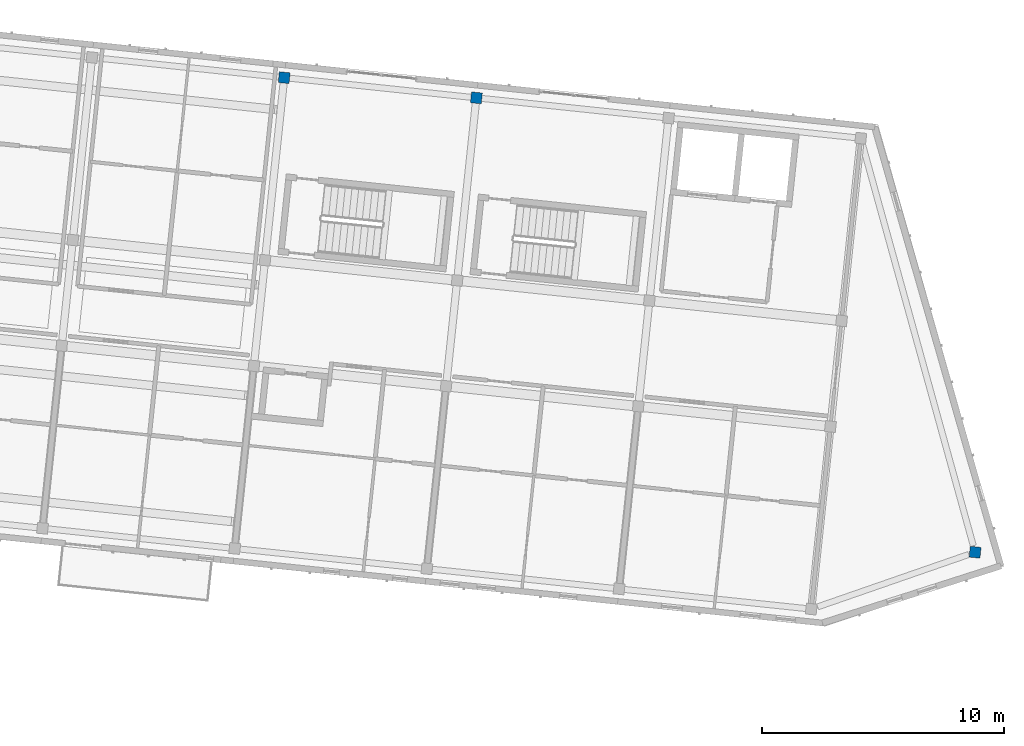
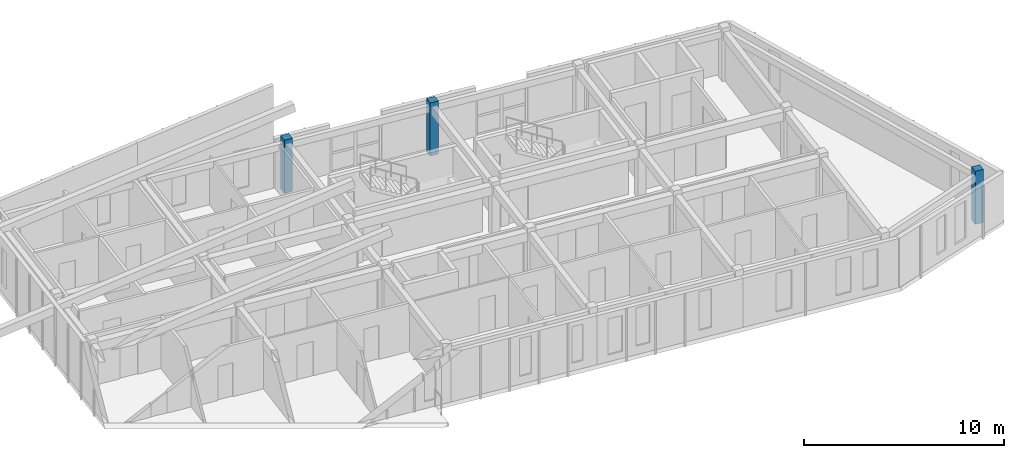
# One storey, part 2 of 34: 3 columns.
"""IFC4 building model written with IfcOpenShell, lengths in metres."""

from ifc_helpers import new_model, si_unit, direction, frame, origin, origin_2d, place, context, subcontext, project, spatial, rectangle, extrude, material, material_profile, profile_set, type_object, element, save


model = new_model("IFC4")

# Units and contexts
model_context = context("Model", 3, precision=1e-05, world=origin(), true_north=direction((0.0, 1.0)))
body_context = subcontext(model_context, "Body", "Model", "MODEL_VIEW")
ifc_project = project(units=[si_unit("LENGTHUNIT", "METRE"), si_unit("AREAUNIT", "SQUARE_METRE"), si_unit("VOLUMEUNIT", "CUBIC_METRE"), si_unit("PLANEANGLEUNIT", "RADIAN"), si_unit("MASSUNIT", "GRAM", prefix="KILO")], contexts=[model_context])

# Site, building, storey
site_placement = place(None, origin())
site = spatial("IfcSite", under=ifc_project, at=site_placement, CompositionType="ELEMENT")
building_placement = place(site_placement, origin())
building = spatial("IfcBuilding", under=site, at=building_placement, Name="Kestramere Prow Commons", CompositionType="ELEMENT")
storey_placement = place(building_placement, frame((0.0, 0.0, 34.39990234375)))
storey = spatial("IfcBuildingStorey", under=building, at=storey_placement, Name="L10", CompositionType="ELEMENT", Elevation=34.39990234375)

# Columns
ifc_material = material(Name="Precast concrete C40/50", Category="concrete")
ifc_material_profile = material_profile(ifc_material, rectangle(XDim=0.449951171875, YDim=0.449951171875, at=origin_2d()), Name="PC-COL 450x450")
ifc_profile_set = profile_set([ifc_material_profile], Name="Precast concrete C40/50")
column_type = type_object("IfcColumnType", Name="C-B3 PC-COL 450x450", PredefinedType="COLUMN", material=ifc_profile_set)
for number, where, z_axis, x_axis, name in (
    (1, (135.917236328125, 111.783935546875, 0.0), (0.0, 0.0, 1.0), (0.994521895368, -0.104528463268, 0.0), "Block B L10 Column 4-4"),
    (2, (143.87353515625, 110.94775390625, 0.0), (0.0, 0.0, 1.0), (0.994521895368, -0.104528463268, 0.0), "Block B L10 Column 5-4"),
    (3, (164.520263671875, 92.136474609375, 0.0), (0.0, 0.0, 1.0), (0.994521895368, -0.104528463268, 0.0), "Block B L10 Prow Apex Column"),
):
    element("IfcColumn", number, at=place(storey_placement, frame(where, z_axis=z_axis, x_axis=x_axis)), inside=storey, type_object=column_type, Name=name, PredefinedType="COLUMN", context=body_context, shape_type="SweptSolid", body=[
        extrude(rectangle(XDim=0.449951171875, YDim=0.449951171875, at=origin_2d()), origin(), (0.0, 0.0, 1.0), 3.25),
    ])

save(model, "model.ifc")
